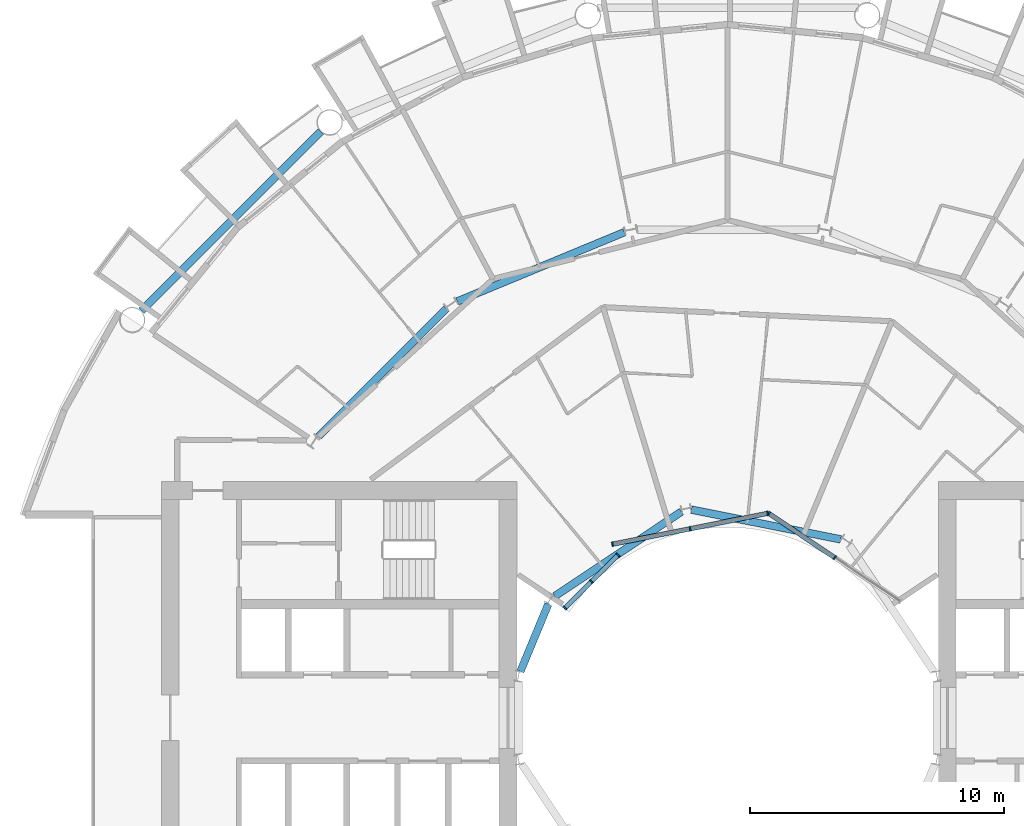
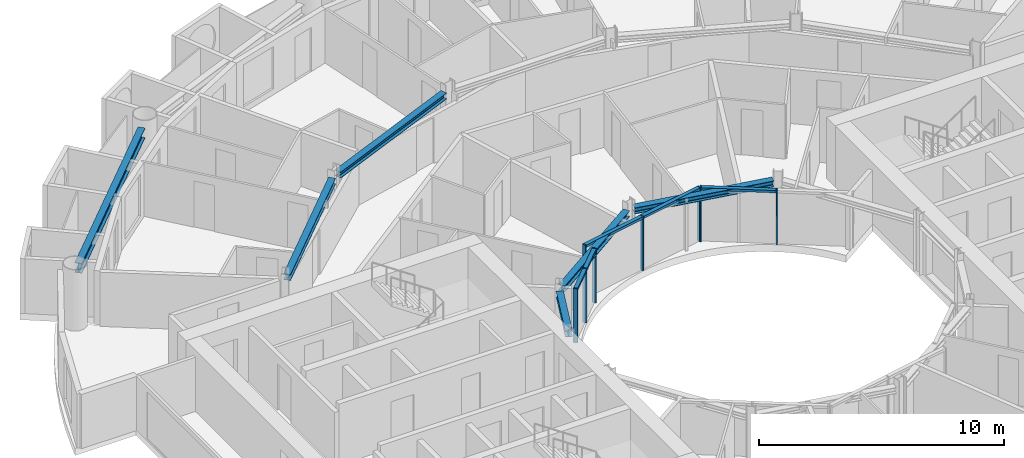
# One storey, part 7 of 26: 13 members, 6 beams, 3 elements without a shape of their own.
"""IFC4 building model written with IfcOpenShell, lengths in metres."""

from ifc_helpers import new_model, si_unit, direction, frame, origin, origin_2d, place, context, subcontext, project, spatial, rectangle, i_section, extrude, material, layer, layer_set, material_profile, profile_set, type_object, element, aggregate, save


model = new_model("IFC4")

# Units and contexts
model_context = context("Model", 3, precision=1e-05, world=origin(), true_north=direction((0.0, 1.0)))
body_context = subcontext(model_context, "Body", "Model", "MODEL_VIEW")
ifc_project = project(units=[si_unit("LENGTHUNIT", "METRE"), si_unit("AREAUNIT", "SQUARE_METRE"), si_unit("VOLUMEUNIT", "CUBIC_METRE"), si_unit("PLANEANGLEUNIT", "RADIAN"), si_unit("MASSUNIT", "GRAM", prefix="KILO")], contexts=[model_context])

# Site, building, storey
site_placement = place(None, origin())
site = spatial("IfcSite", under=ifc_project, at=site_placement, CompositionType="ELEMENT")
building_placement = place(site_placement, origin())
building = spatial("IfcBuilding", under=site, at=building_placement, Name="Maasbend Ring Residences", CompositionType="ELEMENT")
storey_placement = place(building_placement, frame((0.0, 0.0, 81.89990234375)))
storey = spatial("IfcBuildingStorey", under=building, at=storey_placement, Name="L23", CompositionType="ELEMENT", Elevation=81.89990234375)

# Curtain wall, members
ifc_material_1 = material(Name="Aluminium and clear glass", Category="aluminium")
ifc_layer = layer(ifc_material_1, 0.179931640625)
ifc_layer_set = layer_set([ifc_layer], Name="CW-W")
curtain_wall_type = type_object("IfcCurtainWallType", Name="CW-W", PredefinedType="NOTDEFINED", material=ifc_layer_set)
curtain_wall_1_placement = place(storey_placement, origin())
curtain_wall_1 = element("IfcCurtainWall", 1, at=curtain_wall_1_placement, inside=storey, type_object=curtain_wall_type, Name="Well curtain wall N1", PredefinedType="NOTDEFINED")
ifc_material_2 = material(Name="Aluminium 6063-T6", Category="aluminium")
ifc_material_profile_1 = material_profile(ifc_material_2, rectangle(XDim=0.179931640625, YDim=0.06005859375, at=origin_2d()), Name="AL 180x60")
ifc_profile_set_1 = profile_set([ifc_material_profile_1], Name="Aluminium 6063-T6")
member_type_1 = type_object("IfcMemberType", Name="CWM-W", PredefinedType="MULLION", material=ifc_profile_set_1)
member_1_placement = place(storey_placement, frame((4.216796875, 6.310791015625, 0.0), z_axis=(0.0, 0.0, 1.0), x_axis=(-0.55557023302, -0.831469612303, 0.0)))
member_1 = element("IfcMember", 2, at=member_1_placement, type_object=member_type_1, Name="Mullion well face", PredefinedType="MULLION", context=body_context, shape_type="SweptSolid", body=[
    extrude(rectangle(XDim=0.179931640625, YDim=0.06005859375, at=origin_2d()), origin(), (0.0, 0.0, 1.0), 2.7001953125),
])
member_2_placement = place(storey_placement, frame((1.627685546875, 8.040771484375, 0.0), z_axis=(0.0, 0.0, 1.0), x_axis=(-0.55557023302, -0.831469612303, 0.0)))
member_2 = element("IfcMember", 3, at=member_2_placement, type_object=member_type_1, Name="Mullion well face", PredefinedType="MULLION", context=body_context, shape_type="SweptSolid", body=[
    extrude(rectangle(XDim=0.179931640625, YDim=0.06005859375, at=origin_2d()), origin(), (0.0, 0.0, 1.0), 2.7001953125),
])

curtain_wall_2_placement = place(storey_placement, origin())
curtain_wall_2 = element("IfcCurtainWall", 4, at=curtain_wall_2_placement, inside=storey, type_object=curtain_wall_type, Name="Well curtain wall N2", PredefinedType="NOTDEFINED")
member_3_placement = place(storey_placement, frame((1.5732421875, 8.0517578125, 0.0), z_axis=(0.0, 0.0, 1.0), x_axis=(0.195090322016, -0.980785280403, 0.0)))
member_3 = element("IfcMember", 5, at=member_3_placement, type_object=member_type_1, Name="Mullion well face", PredefinedType="MULLION", context=body_context, shape_type="SweptSolid", body=[
    extrude(rectangle(XDim=0.179931640625, YDim=0.06005859375, at=origin_2d()), origin(), (0.0, 0.0, 1.0), 2.7001953125),
])
member_4_placement = place(storey_placement, frame((-1.480712890625, 7.444091796875, 0.0), z_axis=(0.0, 0.0, 1.0), x_axis=(0.195090322016, -0.980785280403, 0.0)))
member_4 = element("IfcMember", 6, at=member_4_placement, type_object=member_type_1, Name="Mullion well face", PredefinedType="MULLION", context=body_context, shape_type="SweptSolid", body=[
    extrude(rectangle(XDim=0.179931640625, YDim=0.06005859375, at=origin_2d()), origin(), (0.0, 0.0, 1.0), 2.7001953125),
])
member_5_placement = place(storey_placement, frame((-4.53466796875, 6.836669921875, 0.0), z_axis=(0.0, 0.0, 1.0), x_axis=(0.195090322016, -0.980785280403, 0.0)))
member_5 = element("IfcMember", 7, at=member_5_placement, type_object=member_type_1, Name="Mullion well face", PredefinedType="MULLION", context=body_context, shape_type="SweptSolid", body=[
    extrude(rectangle(XDim=0.179931640625, YDim=0.06005859375, at=origin_2d()), origin(), (0.0, 0.0, 1.0), 2.7001953125),
])

curtain_wall_3_placement = place(storey_placement, origin())
curtain_wall_3 = element("IfcCurtainWall", 8, at=curtain_wall_3_placement, inside=storey, type_object=curtain_wall_type, Name="Well curtain wall N3", PredefinedType="NOTDEFINED")
member_6_placement = place(storey_placement, frame((-4.320556640625, 6.413330078125, 0.0), z_axis=(0.0, 0.0, 1.0), x_axis=(0.707106781187, -0.707106781187, 0.0)))
member_6 = element("IfcMember", 9, at=member_6_placement, type_object=member_type_1, Name="Mullion well face", PredefinedType="MULLION", context=body_context, shape_type="SweptSolid", body=[
    extrude(rectangle(XDim=0.179931640625, YDim=0.06005859375, at=origin_2d()), origin(), (0.0, 0.0, 1.0), 2.7001953125),
])
member_7_placement = place(storey_placement, frame((-5.366943359375, 5.366943359375, 0.0), z_axis=(0.0, 0.0, 1.0), x_axis=(0.707106781187, -0.707106781187, 0.0)))
member_7 = element("IfcMember", 10, at=member_7_placement, type_object=member_type_1, Name="Mullion well face", PredefinedType="MULLION", context=body_context, shape_type="SweptSolid", body=[
    extrude(rectangle(XDim=0.179931640625, YDim=0.06005859375, at=origin_2d()), origin(), (0.0, 0.0, 1.0), 2.7001953125),
])
member_8_placement = place(storey_placement, frame((-6.413330078125, 4.320556640625, 0.0), z_axis=(0.0, 0.0, 1.0), x_axis=(0.707106781187, -0.707106781187, 0.0)))
member_8 = element("IfcMember", 11, at=member_8_placement, type_object=member_type_1, Name="Mullion well face", PredefinedType="MULLION", context=body_context, shape_type="SweptSolid", body=[
    extrude(rectangle(XDim=0.179931640625, YDim=0.06005859375, at=origin_2d()), origin(), (0.0, 0.0, 1.0), 2.7001953125),
])

# Member
ifc_material_3 = material(Name="Aluminium 6063-T6", Category="aluminium")
ifc_material_profile_2 = material_profile(ifc_material_3, rectangle(XDim=0.179931640625, YDim=0.1201171875, at=origin_2d()), Name="AL 180x120")
ifc_profile_set_2 = profile_set([ifc_material_profile_2], Name="Aluminium 6063-T6")
member_type_2 = type_object("IfcMemberType", Name="CWT-W", PredefinedType="USERDEFINED", material=ifc_profile_set_2)
member_9_placement = place(storey_placement, frame((4.19189453125, 6.32763671875, 2.64013671875), z_axis=(-0.831496422459, 0.555530106689, 0.0), x_axis=(-0.555530106689, -0.831496422459, 0.0)))
member_9 = element("IfcMember", 12, at=member_9_placement, type_object=member_type_2, Name="Transom well face", ObjectType="TRANSOM", PredefinedType="USERDEFINED", context=body_context, shape_type="SweptSolid", body=[
    extrude(rectangle(XDim=0.179931640625, YDim=0.1201171875, at=origin_2d()), origin(), (0.0, 0.0, 1.0), 3.053955078125),
])

aggregate(curtain_wall_1, [member_1, member_2, member_9])

member_10_placement = place(storey_placement, frame((1.5439453125, 8.0458984375, 2.64013671875), z_axis=(-0.980776956105, -0.195132166424, 0.0), x_axis=(0.195132166424, -0.980776956105, 0.0)))
member_10 = element("IfcMember", 13, at=member_10_placement, type_object=member_type_2, Name="Transom well face", ObjectType="TRANSOM", PredefinedType="USERDEFINED", context=body_context, shape_type="SweptSolid", body=[
    extrude(rectangle(XDim=0.179931640625, YDim=0.1201171875, at=origin_2d()), origin(), (0.0, 0.0, 1.0), 3.053955078125),
])

member_11_placement = place(storey_placement, frame((-1.51025390625, 7.438232421875, 2.64013671875), z_axis=(-0.980789210404, -0.19507056353, 0.0), x_axis=(0.19507056353, -0.980789210404, 0.0)))
member_11 = element("IfcMember", 14, at=member_11_placement, type_object=member_type_2, Name="Transom well face", ObjectType="TRANSOM", PredefinedType="USERDEFINED", context=body_context, shape_type="SweptSolid", body=[
    extrude(rectangle(XDim=0.179931640625, YDim=0.1201171875, at=origin_2d()), origin(), (0.0, 0.0, 1.0), 3.0537109375),
])

aggregate(curtain_wall_2, [member_3, member_4, member_5, member_10, member_11])

member_12_placement = place(storey_placement, frame((-4.341796875, 6.39208984375, 2.64013671875), z_axis=(-0.707106781187, -0.707106781187, 0.0), x_axis=(0.707106781187, -0.707106781187, 0.0)))
member_12 = element("IfcMember", 15, at=member_12_placement, type_object=member_type_2, Name="Transom well face", ObjectType="TRANSOM", PredefinedType="USERDEFINED", context=body_context, shape_type="SweptSolid", body=[
    extrude(rectangle(XDim=0.179931640625, YDim=0.1201171875, at=origin_2d()), origin(), (0.0, 0.0, 1.0), 1.419677734375),
])

member_13_placement = place(storey_placement, frame((-5.38818359375, 5.345703125, 2.64013671875), z_axis=(-0.707106781187, -0.707106781187, 0.0), x_axis=(0.707106781187, -0.707106781187, 0.0)))
member_13 = element("IfcMember", 16, at=member_13_placement, type_object=member_type_2, Name="Transom well face", ObjectType="TRANSOM", PredefinedType="USERDEFINED", context=body_context, shape_type="SweptSolid", body=[
    extrude(rectangle(XDim=0.179931640625, YDim=0.1201171875, at=origin_2d()), origin(), (0.0, 0.0, 1.0), 1.419677734375),
])

aggregate(curtain_wall_3, [member_6, member_7, member_8, member_12, member_13])

# Beams
ifc_material_4 = material(Name="Steel S355J2", Category="steel")
ifc_material_profile_3 = material_profile(ifc_material_4, i_section(OverallWidth=0.300048828125, OverallDepth=0.300048828125, WebThickness=0.010986328125, FlangeThickness=0.01904296875, FilletRadius=0.027099609375, at=origin_2d()), Name="HEB 300")
ifc_profile_set_3 = profile_set([ifc_material_profile_3], Name="Steel S355J2")
beam_type_1 = type_object("IfcBeamType", Name="Corridor ring beam HEB 300", PredefinedType="BEAM", material=ifc_profile_set_3)
for number, where, z_axis, x_axis, name in (
    (17, (-4.070556640625, 19.12109375, 2.550048828125), (-0.923877113721, -0.382689271788, 0.0), (0.382689271788, -0.923877113721, 0.0), "Corridor ring beam"),
    (18, (-11.078125, 16.10791015625, 2.550048828125), (-0.707106781187, -0.707106781187, 0.0), (0.707106781187, -0.707106781187, 0.0), "Corridor ring beam"),
):
    element("IfcBeam", number, at=place(storey_placement, frame(where, z_axis=z_axis, x_axis=x_axis)), inside=storey, type_object=beam_type_1, Name=name, PredefinedType="BEAM", context=body_context, shape_type="SweptSolid", body=[
        extrude(i_section(OverallWidth=0.300048828125, OverallDepth=0.300048828125, WebThickness=0.010986328125, FlangeThickness=0.01904296875, FilletRadius=0.027099609375, at=origin_2d()), origin(), (0.0, 0.0, 1.0), 7.11328125),
    ])
ifc_material_5 = material(Name="Steel S355J2", Category="steel")
ifc_material_profile_4 = material_profile(ifc_material_5, i_section(OverallWidth=0.300048828125, OverallDepth=0.5, WebThickness=0.014404296875, FlangeThickness=0.028076171875, FilletRadius=0.027099609375, at=origin_2d()), Name="HEB 500")
ifc_profile_set_4 = profile_set([ifc_material_profile_4], Name="Steel S355J2")
beam_type_2 = type_object("IfcBeamType", Name="Spandrel ring beam HEB 500", PredefinedType="SPANDREL", material=ifc_profile_set_4)
beam_1_placement = place(storey_placement, frame((-16.0263671875, 23.088134765625, 2.4501953125), z_axis=(-0.707106781187, -0.707106781187, 0.0), x_axis=(0.707106781187, -0.707106781187, 0.0)))
element("IfcBeam", 19, at=beam_1_placement, inside=storey, type_object=beam_type_2, Name="Spandrel ring beam", PredefinedType="SPANDREL", context=body_context, shape_type="SweptSolid", body=[
    extrude(i_section(OverallWidth=0.300048828125, OverallDepth=0.5, WebThickness=0.014404296875, FlangeThickness=0.028076171875, FilletRadius=0.027099609375, at=origin_2d()), origin(), (0.0, 0.0, 1.0), 9.98681640625),
])
ifc_material_6 = material(Name="Steel S355J2", Category="steel")
ifc_material_profile_5 = material_profile(ifc_material_6, i_section(OverallWidth=0.300048828125, OverallDepth=0.300048828125, WebThickness=0.010986328125, FlangeThickness=0.01904296875, FilletRadius=0.027099609375, at=origin_2d()), Name="HEB 300")
ifc_profile_set_5 = profile_set([ifc_material_profile_5], Name="Steel S355J2")
beam_type_3 = type_object("IfcBeamType", Name="Well edge beam HEB 300", PredefinedType="BEAM", material=ifc_profile_set_5)
beam_2_placement = place(storey_placement, frame((4.45458984375, 7.026611328125, 2.550048828125), z_axis=(-0.980789954577, 0.195066821885, 0.0), x_axis=(-0.195066821885, -0.980789954577, 0.0)))
element("IfcBeam", 20, at=beam_2_placement, inside=storey, type_object=beam_type_3, Name="Well edge beam", PredefinedType="BEAM", context=body_context, shape_type="SweptSolid", body=[
    extrude(i_section(OverallWidth=0.300048828125, OverallDepth=0.300048828125, WebThickness=0.010986328125, FlangeThickness=0.01904296875, FilletRadius=0.027099609375, at=origin_2d()), origin(), (0.0, 0.0, 1.0), 5.996337890625),
])
beam_3_placement = place(storey_placement, frame((-1.81884765625, 8.118408203125, 2.550048828125), z_axis=(-0.83145471117, -0.555592533493, 0.0), x_axis=(0.555592533493, -0.83145471117, 0.0)))
element("IfcBeam", 21, at=beam_3_placement, inside=storey, type_object=beam_type_3, Name="Well edge beam", PredefinedType="BEAM", context=body_context, shape_type="SweptSolid", body=[
    extrude(i_section(OverallWidth=0.300048828125, OverallDepth=0.300048828125, WebThickness=0.010986328125, FlangeThickness=0.01904296875, FilletRadius=0.027099609375, at=origin_2d()), origin(), (0.0, 0.0, 1.0), 5.995849609375),
])
beam_4_placement = place(storey_placement, frame((-7.062255859375, 4.478515625, 2.550048828125), z_axis=(-0.382729955172, -0.923860260761, 0.0), x_axis=(0.923860260761, -0.382729955172, 0.0)))
element("IfcBeam", 22, at=beam_4_placement, inside=storey, type_object=beam_type_3, Name="Well edge beam", PredefinedType="BEAM", context=body_context, shape_type="SweptSolid", body=[
    extrude(i_section(OverallWidth=0.300048828125, OverallDepth=0.300048828125, WebThickness=0.010986328125, FlangeThickness=0.01904296875, FilletRadius=0.027099609375, at=origin_2d()), origin(), (0.0, 0.0, 1.0), 2.869873046875),
])

save(model, "model.ifc")
